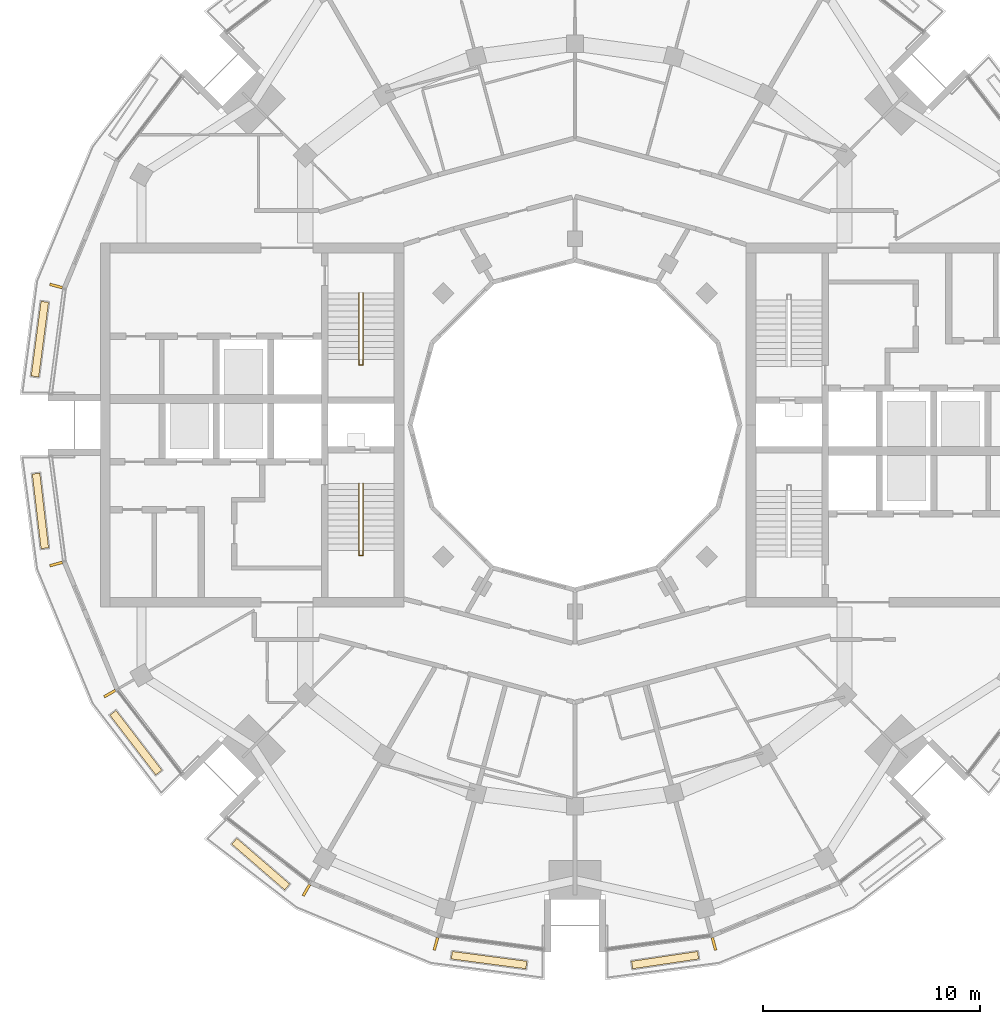
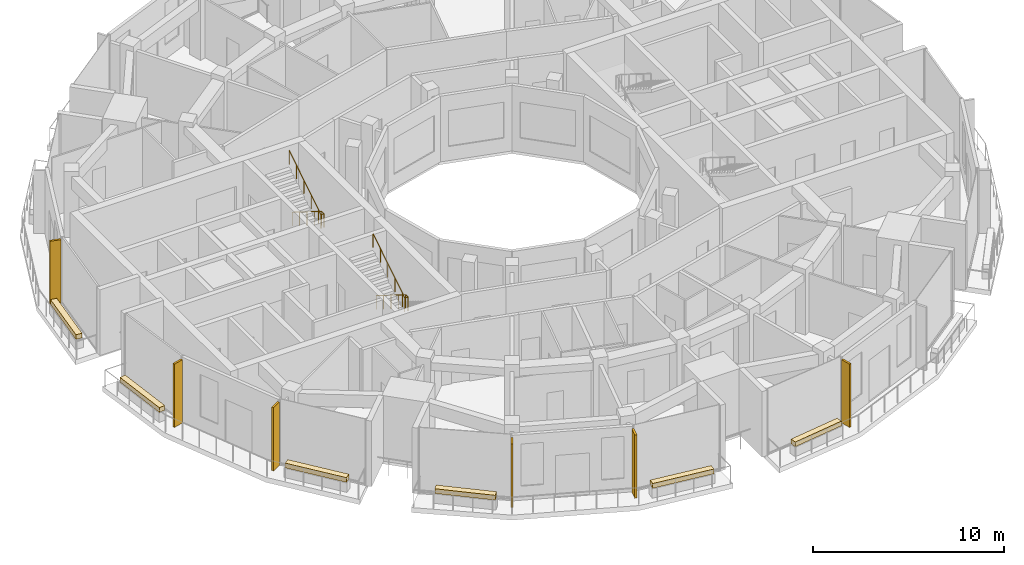
# One storey, part 15 of 17: 6 coverings, 6 shading devices, 2 railings.
"""IFC4 building model written with IfcOpenShell, lengths in metres."""

from ifc_helpers import new_model, si_unit, direction, frame, origin, origin_2d, place, context, subcontext, project, spatial, polyline, rectangle, circle, outline, extrude, material, layer, layer_set, material_profile, profile_set, type_object, element, save


model = new_model("IFC4")

# Units and contexts
model_context = context("Model", 3, precision=1e-05, world=origin(), true_north=direction((0.0, 1.0)))
body_context = subcontext(model_context, "Body", "Model", "MODEL_VIEW")
ifc_project = project(units=[si_unit("LENGTHUNIT", "METRE"), si_unit("AREAUNIT", "SQUARE_METRE"), si_unit("VOLUMEUNIT", "CUBIC_METRE"), si_unit("PLANEANGLEUNIT", "RADIAN"), si_unit("MASSUNIT", "GRAM", prefix="KILO")], contexts=[model_context])

# Site, building, storey
site_placement = place(None, origin())
site = spatial("IfcSite", under=ifc_project, at=site_placement, CompositionType="ELEMENT")
building_placement = place(site_placement, origin())
building = spatial("IfcBuilding", under=site, at=building_placement, Name="Torre Brocal", CompositionType="ELEMENT")
storey_placement = place(building_placement, frame((0.0, 0.0, 275.699951171875)))
storey = spatial("IfcBuildingStorey", under=building, at=storey_placement, Name="L63", CompositionType="ELEMENT", Elevation=275.699951171875)

# Shading devices
ifc_material_1 = material(Name="Aluminium, black anodised", Category="aluminium")
ifc_material_profile = material_profile(ifc_material_1, rectangle(XDim=0.1201171875, YDim=0.60009765625, at=origin_2d()), Name="FIN 120X600 4050 HIGH FROM FLOOR")
ifc_profile_set = profile_set([ifc_material_profile], Name="Aluminium, black anodised")
shading_device_type = type_object("IfcShadingDeviceType", Name="FIN 120X600 4050 HIGH FROM FLOOR", PredefinedType="USERDEFINED", material=ifc_profile_set)
for number, where, z_axis, x_axis, name in (
    (1, (56.052734375, 81.416748046875, 0.0), (0.0, 0.0, 1.0), (-0.258819045103, -0.965925826289, 0.0), "FIN"),
    (2, (56.052734375, 68.583251953125, 0.0), (0.0, 0.0, 1.0), (0.258819045103, -0.965925826289, 0.0), "FIN"),
    (3, (58.529541015625, 62.60400390625, 0.0), (0.0, 0.0, 1.0), (0.5, -0.866025403784, 0.0), "FIN"),
    (4, (67.60400390625, 53.529541015625, 0.0), (0.0, 0.0, 1.0), (0.866025403784, -0.5, 0.0), "FIN"),
    (5, (73.583251953125, 51.052734375, 0.0), (0.0, 0.0, 1.0), (0.965925826289, -0.258819045103, 0.0), "FIN"),
    (6, (86.416748046875, 51.052734375, 0.0), (0.0, 0.0, 1.0), (0.965925826289, 0.258819045103, 0.0), "FIN"),
):
    element("IfcShadingDevice", number, at=place(storey_placement, frame(where, z_axis=z_axis, x_axis=x_axis)), inside=storey, type_object=shading_device_type, Name=name, ObjectType="FIN", PredefinedType="USERDEFINED", context=body_context, shape_type="SweptSolid", body=[
        extrude(rectangle(XDim=0.1201171875, YDim=0.60009765625, at=origin_2d()), origin(), (0.0, 0.0, 1.0), 4.050048828125),
    ])

# Coverings
ifc_material_2 = material(Name="Planting soil")
ifc_layer = layer(ifc_material_2, 0.300048828125)
ifc_layer_set = layer_set([ifc_layer], Name="Planting soil")
covering_type = type_object("IfcCoveringType", Name="PLANTING SOIL 300", PredefinedType="FLOORING", material=ifc_layer_set)
covering_1_placement = place(storey_placement, frame((0.0, 0.0, 0.60009765625)))
element("IfcCovering", 7, at=covering_1_placement, inside=storey, type_object=covering_type, Name="PLANTING SOIL", PredefinedType="FLOORING", context=body_context, shape_type="SweptSolid", body=[
    extrude(outline(polyline([(55.70361328125, 80.661376953125), (55.25048828125, 77.219970703125), (54.903564453125, 77.265625), (55.3564453125, 80.70703125), (55.70361328125, 80.661376953125)])), origin(), (0.0, 0.0, 1.0), 0.300048828125),
])
covering_2_placement = place(storey_placement, frame((0.0, 0.0, 0.60009765625)))
element("IfcCovering", 8, at=covering_2_placement, inside=storey, type_object=covering_type, Name="PLANTING SOIL", PredefinedType="FLOORING", context=body_context, shape_type="SweptSolid", body=[
    extrude(outline(polyline([(55.30224609375, 72.777587890625), (55.70458984375, 69.336181640625), (55.35693359375, 69.29541015625), (54.95458984375, 72.73681640625), (55.30224609375, 72.777587890625)])), origin(), (0.0, 0.0, 1.0), 0.300048828125),
])
covering_3_placement = place(storey_placement, frame((0.0, 0.0, 0.60009765625)))
element("IfcCovering", 9, at=covering_3_placement, inside=storey, type_object=covering_type, Name="PLANTING SOIL", PredefinedType="FLOORING", context=body_context, shape_type="SweptSolid", body=[
    extrude(outline(polyline([(58.816650390625, 61.822998046875), (60.9296875, 59.069091796875), (60.652099609375, 58.85595703125), (58.538818359375, 61.60986328125), (58.816650390625, 61.822998046875)])), origin(), (0.0, 0.0, 1.0), 0.300048828125),
])
covering_4_placement = place(storey_placement, frame((0.0, 0.0, 0.60009765625)))
element("IfcCovering", 10, at=covering_4_placement, inside=storey, type_object=covering_type, Name="PLANTING SOIL", PredefinedType="FLOORING", context=body_context, shape_type="SweptSolid", body=[
    extrude(outline(polyline([(64.392578125, 55.921142578125), (66.832763671875, 53.8125), (66.60400390625, 53.547607421875), (64.16357421875, 55.65625), (64.392578125, 55.921142578125)])), origin(), (0.0, 0.0, 1.0), 0.300048828125),
])
covering_5_placement = place(storey_placement, frame((0.0, 0.0, 0.60009765625)))
element("IfcCovering", 11, at=covering_5_placement, inside=storey, type_object=covering_type, Name="PLANTING SOIL", PredefinedType="FLOORING", context=body_context, shape_type="SweptSolid", body=[
    extrude(outline(polyline([(74.338623046875, 50.70361328125), (77.780029296875, 50.25048828125), (77.734375, 49.903564453125), (74.29296875, 50.3564453125), (74.338623046875, 50.70361328125)])), origin(), (0.0, 0.0, 1.0), 0.300048828125),
])
covering_6_placement = place(storey_placement, frame((0.0, 0.0, 0.60009765625)))
element("IfcCovering", 12, at=covering_6_placement, inside=storey, type_object=covering_type, Name="PLANTING SOIL", PredefinedType="FLOORING", context=body_context, shape_type="SweptSolid", body=[
    extrude(outline(polyline([(82.613525390625, 50.2509765625), (85.65869140625, 50.702392578125), (85.7099609375, 50.356201171875), (82.664794921875, 49.904541015625), (82.613525390625, 50.2509765625)])), origin(), (0.0, 0.0, 1.0), 0.300048828125),
])

# Railings
ifc_material_3 = material(Name="Stainless steel AISI 316", Category="steel")
railing_type = type_object("IfcRailingType", Name="STAIR HANDRAIL", PredefinedType="HANDRAIL", material=ifc_material_3)
railing_1_placement = place(storey_placement, frame((70.219970703125, 72.300048828125, 0.175048828125)))
element("IfcRailing", 13, at=railing_1_placement, inside=storey, type_object=railing_type, Name="HANDRAIL ST3", PredefinedType="HANDRAIL", context=body_context, shape_type="SweptSolid", body=[
    extrude(circle(Radius=0.02392578125, at=origin_2d()), frame((0.0, 0.0, 0.8759765625), z_axis=(0.0, -0.847998304005, 0.529998940003), x_axis=(1.0, 0.0, 0.0)), (0.0, 0.0, 1.0), 3.632080078125),
    extrude(circle(Radius=0.02392578125, at=origin_2d()), frame((0.0, -3.080078125, 2.80078125), z_axis=(0.0, -1.0, 0.0), x_axis=(1.0, 0.0, 0.0)), (0.0, 0.0, 1.0), 0.25),
    extrude(circle(Radius=0.02392578125, at=origin_2d()), frame((0.0, -3.330078125, 2.80078125), z_axis=(-1.0, 0.0, 0.0), x_axis=(0.0, -1.0, 0.0)), (0.0, 0.0, 1.0), 0.18994140625),
    extrude(circle(Radius=0.02392578125, at=origin_2d()), frame((-0.18994140625, -3.330078125, 2.80078125), z_axis=(0.0, 0.819156749665, 0.573569716318), x_axis=(-1.0, 0.0, 0.0)), (0.0, 0.0, 1.0), 0.30517578125),
    extrude(circle(Radius=0.02392578125, at=origin_2d()), frame((-0.18994140625, -3.080078125, 2.97607421875), z_axis=(0.0, 0.848028513186, 0.529950602248), x_axis=(-1.0, 0.0, 0.0)), (0.0, 0.0, 1.0), 3.632080078125),
    extrude(circle(Radius=0.02099609375, at=origin_2d()), origin(), (0.0, 0.0, 1.0), 0.851806640625),
    extrude(circle(Radius=0.02099609375, at=origin_2d()), frame((0.0, -0.77001953125, 0.481201171875)), (0.0, 0.0, 1.0), 0.851806640625),
    extrude(circle(Radius=0.02099609375, at=origin_2d()), frame((0.0, -1.5400390625, 0.96240234375)), (0.0, 0.0, 1.0), 0.851806640625),
    extrude(circle(Radius=0.02099609375, at=origin_2d()), frame((0.0, -2.31005859375, 1.44384765625)), (0.0, 0.0, 1.0), 0.851806640625),
    extrude(circle(Radius=0.02099609375, at=origin_2d()), frame((0.0, -3.080078125, 1.925048828125)), (0.0, 0.0, 1.0), 0.851806640625),
    extrude(circle(Radius=0.02099609375, at=origin_2d()), frame((0.0, -3.330078125, 1.925048828125)), (0.0, 0.0, 1.0), 0.851806640625),
    extrude(circle(Radius=0.02099609375, at=origin_2d()), frame((-0.18994140625, -3.330078125, 1.925048828125)), (0.0, 0.0, 1.0), 0.851806640625),
    extrude(circle(Radius=0.02099609375, at=origin_2d()), frame((-0.18994140625, -3.080078125, 2.10009765625)), (0.0, 0.0, 1.0), 0.851806640625),
    extrude(circle(Radius=0.02099609375, at=origin_2d()), frame((-0.18994140625, -2.31005859375, 2.581298828125)), (0.0, 0.0, 1.0), 0.851806640625),
    extrude(circle(Radius=0.02099609375, at=origin_2d()), frame((-0.18994140625, -1.5400390625, 3.0625)), (0.0, 0.0, 1.0), 0.851806640625),
    extrude(circle(Radius=0.02099609375, at=origin_2d()), frame((-0.18994140625, -0.77001953125, 3.543701171875)), (0.0, 0.0, 1.0), 0.851806640625),
    extrude(circle(Radius=0.02099609375, at=origin_2d()), frame((-0.18994140625, 0.0, 4.02490234375)), (0.0, 0.0, 1.0), 0.851806640625),
])
railing_2_placement = place(storey_placement, frame((70.219970703125, 81.10009765625, 0.175048828125)))
element("IfcRailing", 14, at=railing_2_placement, inside=storey, type_object=railing_type, Name="HANDRAIL ST4", PredefinedType="HANDRAIL", context=body_context, shape_type="SweptSolid", body=[
    extrude(circle(Radius=0.02392578125, at=origin_2d()), frame((0.0, 0.0, 0.8759765625), z_axis=(0.0, -0.847998304005, 0.529998940003), x_axis=(1.0, 0.0, 0.0)), (0.0, 0.0, 1.0), 3.632080078125),
    extrude(circle(Radius=0.02392578125, at=origin_2d()), frame((0.0, -3.080078125, 2.80078125), z_axis=(0.0, -1.0, 0.0), x_axis=(1.0, 0.0, 0.0)), (0.0, 0.0, 1.0), 0.25),
    extrude(circle(Radius=0.02392578125, at=origin_2d()), frame((0.0, -3.330078125, 2.80078125), z_axis=(-1.0, 0.0, 0.0), x_axis=(0.0, -1.0, 0.0)), (0.0, 0.0, 1.0), 0.18994140625),
    extrude(circle(Radius=0.02392578125, at=origin_2d()), frame((-0.18994140625, -3.330078125, 2.80078125), z_axis=(0.0, 0.819156749665, 0.573569716318), x_axis=(-1.0, 0.0, 0.0)), (0.0, 0.0, 1.0), 0.30517578125),
    extrude(circle(Radius=0.02392578125, at=origin_2d()), frame((-0.18994140625, -3.080078125, 2.97607421875), z_axis=(0.0, 0.848028513186, 0.529950602248), x_axis=(-1.0, 0.0, 0.0)), (0.0, 0.0, 1.0), 3.632080078125),
    extrude(circle(Radius=0.02099609375, at=origin_2d()), origin(), (0.0, 0.0, 1.0), 0.851806640625),
    extrude(circle(Radius=0.02099609375, at=origin_2d()), frame((0.0, -0.77001953125, 0.481201171875)), (0.0, 0.0, 1.0), 0.851806640625),
    extrude(circle(Radius=0.02099609375, at=origin_2d()), frame((0.0, -1.5400390625, 0.96240234375)), (0.0, 0.0, 1.0), 0.851806640625),
    extrude(circle(Radius=0.02099609375, at=origin_2d()), frame((0.0, -2.31005859375, 1.44384765625)), (0.0, 0.0, 1.0), 0.851806640625),
    extrude(circle(Radius=0.02099609375, at=origin_2d()), frame((0.0, -3.080078125, 1.925048828125)), (0.0, 0.0, 1.0), 0.851806640625),
    extrude(circle(Radius=0.02099609375, at=origin_2d()), frame((0.0, -3.330078125, 1.925048828125)), (0.0, 0.0, 1.0), 0.851806640625),
    extrude(circle(Radius=0.02099609375, at=origin_2d()), frame((-0.18994140625, -3.330078125, 1.925048828125)), (0.0, 0.0, 1.0), 0.851806640625),
    extrude(circle(Radius=0.02099609375, at=origin_2d()), frame((-0.18994140625, -3.080078125, 2.10009765625)), (0.0, 0.0, 1.0), 0.851806640625),
    extrude(circle(Radius=0.02099609375, at=origin_2d()), frame((-0.18994140625, -2.31005859375, 2.581298828125)), (0.0, 0.0, 1.0), 0.851806640625),
    extrude(circle(Radius=0.02099609375, at=origin_2d()), frame((-0.18994140625, -1.5400390625, 3.0625)), (0.0, 0.0, 1.0), 0.851806640625),
    extrude(circle(Radius=0.02099609375, at=origin_2d()), frame((-0.18994140625, -0.77001953125, 3.543701171875)), (0.0, 0.0, 1.0), 0.851806640625),
    extrude(circle(Radius=0.02099609375, at=origin_2d()), frame((-0.18994140625, 0.0, 4.02490234375)), (0.0, 0.0, 1.0), 0.851806640625),
])

save(model, "model.ifc")
